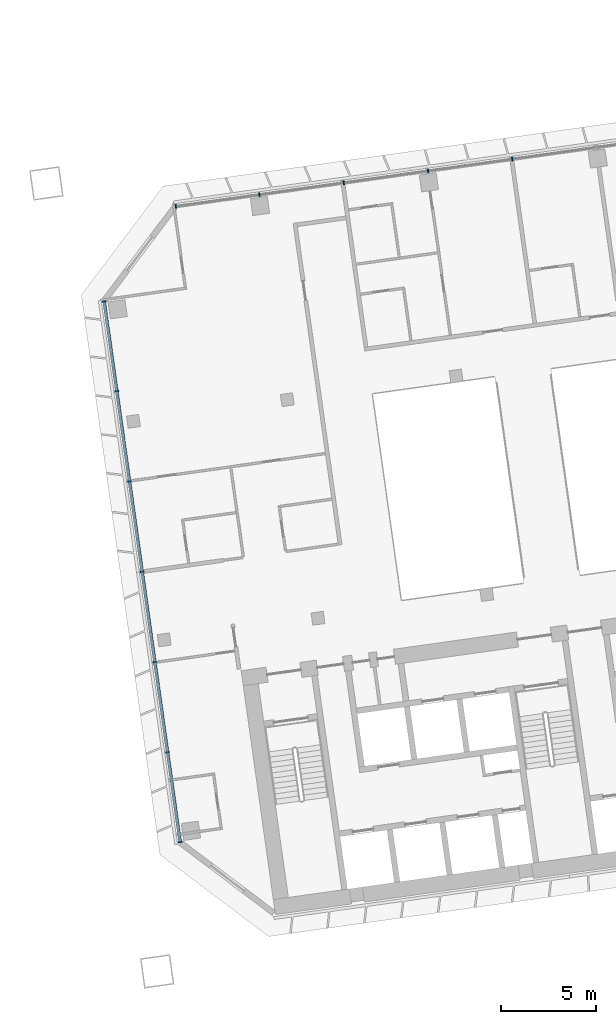
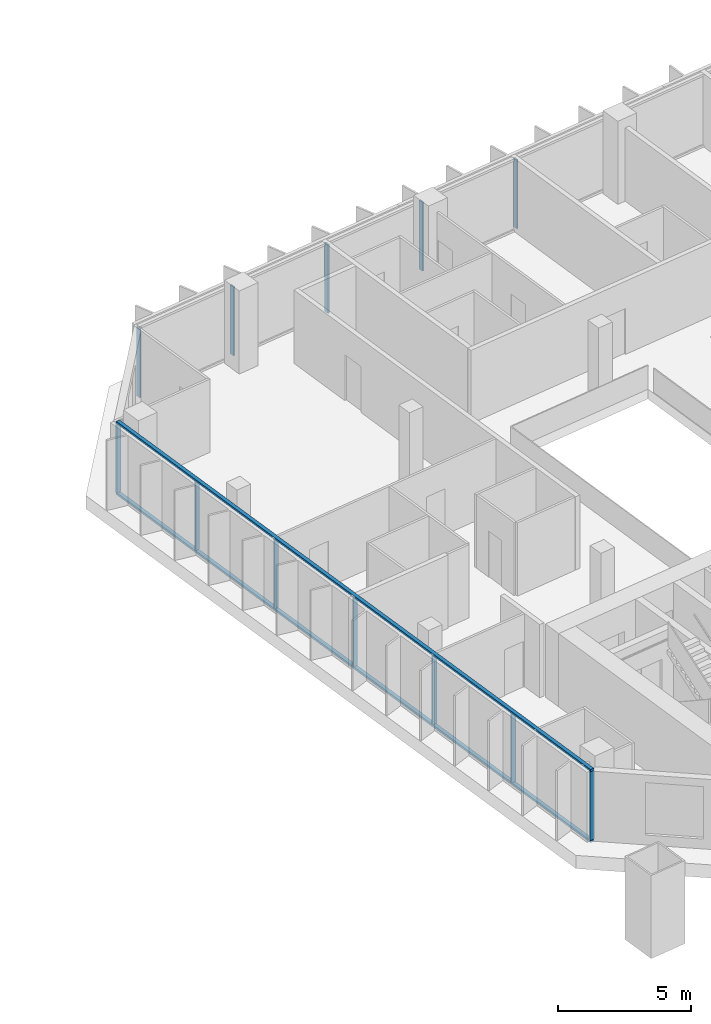
# One storey, part 7 of 26: 14 members, 2 elements without a shape of their own.
"""IFC4 building model written with IfcOpenShell, lengths in metres."""

from ifc_helpers import new_model, si_unit, direction, frame, origin, origin_2d, place, context, subcontext, project, spatial, rectangle, extrude, material, material_profile, profile_set, type_object, element, aggregate, save


model = new_model("IFC4")

# Units and contexts
model_context = context("Model", 3, precision=1e-05, world=origin(), true_north=direction((0.0, 1.0)))
body_context = subcontext(model_context, "Body", "Model", "MODEL_VIEW")
ifc_project = project(units=[si_unit("LENGTHUNIT", "METRE"), si_unit("AREAUNIT", "SQUARE_METRE"), si_unit("VOLUMEUNIT", "CUBIC_METRE"), si_unit("PLANEANGLEUNIT", "RADIAN"), si_unit("MASSUNIT", "GRAM", prefix="KILO")], contexts=[model_context])

# Site, building, storey
site_placement = place(None, origin())
site = spatial("IfcSite", under=ifc_project, at=site_placement, CompositionType="ELEMENT")
building_placement = place(site_placement, origin())
building = spatial("IfcBuilding", under=site, at=building_placement, Name="Mirante Cascada Hotel Towers", CompositionType="ELEMENT")
storey_placement = place(building_placement, frame((0.0, 0.0, 106.3)))
storey = spatial("IfcBuildingStorey", under=building, at=storey_placement, Name="L23", CompositionType="ELEMENT", Elevation=106.3)

# Curtain wall, members
ifc_material_1 = material(Name="Aluminium mullion and transom frame with clear laminated glass", Category="aluminium")
curtain_wall_type_1 = type_object("IfcCurtainWallType", Name="Ribbon curtain wall ECW1", PredefinedType="NOTDEFINED", material=ifc_material_1)
curtain_wall_1_placement = place(storey_placement, origin())
curtain_wall_1 = element("IfcCurtainWall", 1, at=curtain_wall_1_placement, inside=storey, type_object=curtain_wall_type_1, Name="Front ribbon wall T2 L23", PredefinedType="NOTDEFINED")
ifc_material_2 = material(Name="Anodised aluminium extrusion", Category="aluminium")
ifc_material_profile_1 = material_profile(ifc_material_2, rectangle(XDim=0.2, YDim=0.065, at=origin_2d()), Name="ECW1 MULLION 65x200")
ifc_profile_set_1 = profile_set([ifc_material_profile_1], Name="Anodised aluminium extrusion")
member_type_1 = type_object("IfcMemberType", Name="ECW1 mullion 65x200", PredefinedType="MULLION", material=ifc_profile_set_1)
member_1_placement = place(storey_placement, frame((49.684, 19.8017, 0.1), z_axis=(0.0, 0.0, 1.0), x_axis=(0.1391731, -0.9902681, 0.0)))
member_1 = element("IfcMember", 2, at=member_1_placement, type_object=member_type_1, Name="ECW1 mullion 11", PredefinedType="MULLION", context=body_context, shape_type="SweptSolid", body=[
    extrude(rectangle(XDim=0.2, YDim=0.065, at=origin_2d()), origin(), (0.0, 0.0, 1.0), 3.15),
])
member_2_placement = place(storey_placement, frame((45.2366, 19.1766, 0.1), z_axis=(0.0, 0.0, 1.0), x_axis=(0.1391731, -0.9902681, 0.0)))
member_2 = element("IfcMember", 3, at=member_2_placement, type_object=member_type_1, Name="ECW1 mullion 12", PredefinedType="MULLION", context=body_context, shape_type="SweptSolid", body=[
    extrude(rectangle(XDim=0.2, YDim=0.065, at=origin_2d()), origin(), (0.0, 0.0, 1.0), 3.15),
])
member_3_placement = place(storey_placement, frame((40.7892, 18.5516, 0.1), z_axis=(0.0, 0.0, 1.0), x_axis=(0.1391731, -0.9902681, 0.0)))
member_3 = element("IfcMember", 4, at=member_3_placement, type_object=member_type_1, Name="ECW1 mullion 13", PredefinedType="MULLION", context=body_context, shape_type="SweptSolid", body=[
    extrude(rectangle(XDim=0.2, YDim=0.065, at=origin_2d()), origin(), (0.0, 0.0, 1.0), 3.15),
])
member_4_placement = place(storey_placement, frame((36.3417, 17.9265, 0.1), z_axis=(0.0, 0.0, 1.0), x_axis=(0.1391731, -0.9902681, 0.0)))
member_4 = element("IfcMember", 5, at=member_4_placement, type_object=member_type_1, Name="ECW1 mullion 14", PredefinedType="MULLION", context=body_context, shape_type="SweptSolid", body=[
    extrude(rectangle(XDim=0.2, YDim=0.065, at=origin_2d()), origin(), (0.0, 0.0, 1.0), 3.15),
])
member_5_placement = place(storey_placement, frame((31.9265, 17.306, 0.1), z_axis=(0.0, 0.0, 1.0), x_axis=(0.1391731, -0.9902681, 0.0)))
member_5 = element("IfcMember", 6, at=member_5_placement, type_object=member_type_1, Name="ECW1 mullion 15", PredefinedType="MULLION", context=body_context, shape_type="SweptSolid", body=[
    extrude(rectangle(XDim=0.2, YDim=0.065, at=origin_2d()), origin(), (0.0, 0.0, 1.0), 3.15),
])
aggregate(curtain_wall_1, [member_1, member_2, member_3, member_4, member_5])

ifc_material_3 = material(Name="Aluminium mullion and transom frame with clear laminated glass", Category="aluminium")
curtain_wall_type_2 = type_object("IfcCurtainWallType", Name="End ribbon curtain wall ECW2", PredefinedType="NOTDEFINED", material=ifc_material_3)
curtain_wall_2_placement = place(storey_placement, origin())
curtain_wall_2 = element("IfcCurtainWall", 7, at=curtain_wall_2_placement, inside=storey, type_object=curtain_wall_type_2, Name="Inner end wall T2 L23", PredefinedType="NOTDEFINED")
ifc_material_4 = material(Name="Anodised aluminium extrusion", Category="aluminium")
ifc_material_profile_2 = material_profile(ifc_material_4, rectangle(XDim=0.2, YDim=0.065, at=origin_2d()), Name="ECW2 MULLION 65x200")
ifc_profile_set_2 = profile_set([ifc_material_profile_2], Name="Anodised aluminium extrusion")
member_type_2 = type_object("IfcMemberType", Name="ECW2 mullion 65x200", PredefinedType="MULLION", material=ifc_profile_set_2)
member_6_placement = place(storey_placement, frame((28.1437, 12.2861, 0.1), z_axis=(0.0, 0.0, 1.0), x_axis=(0.9902681, 0.1391731, 0.0)))
member_6 = element("IfcMember", 8, at=member_6_placement, type_object=member_type_2, Name="ECW2 mullion 1", PredefinedType="MULLION", context=body_context, shape_type="SweptSolid", body=[
    extrude(rectangle(XDim=0.2, YDim=0.065, at=origin_2d()), origin(), (0.0, 0.0, 1.0), 3.15),
])
member_7_placement = place(storey_placement, frame((28.809, 7.5524, 0.1), z_axis=(0.0, 0.0, 1.0), x_axis=(0.9902681, 0.1391731, 0.0)))
member_7 = element("IfcMember", 9, at=member_7_placement, type_object=member_type_2, Name="ECW2 mullion 2", PredefinedType="MULLION", context=body_context, shape_type="SweptSolid", body=[
    extrude(rectangle(XDim=0.2, YDim=0.065, at=origin_2d()), origin(), (0.0, 0.0, 1.0), 3.15),
])
member_8_placement = place(storey_placement, frame((29.4788, 2.7867, 0.1), z_axis=(0.0, 0.0, 1.0), x_axis=(0.9902681, 0.1391731, 0.0)))
member_8 = element("IfcMember", 10, at=member_8_placement, type_object=member_type_2, Name="ECW2 mullion 3", PredefinedType="MULLION", context=body_context, shape_type="SweptSolid", body=[
    extrude(rectangle(XDim=0.2, YDim=0.065, at=origin_2d()), origin(), (0.0, 0.0, 1.0), 3.15),
])
member_9_placement = place(storey_placement, frame((30.1485, -1.9791, 0.1), z_axis=(0.0, 0.0, 1.0), x_axis=(0.9902681, 0.1391731, 0.0)))
member_9 = element("IfcMember", 11, at=member_9_placement, type_object=member_type_2, Name="ECW2 mullion 4", PredefinedType="MULLION", context=body_context, shape_type="SweptSolid", body=[
    extrude(rectangle(XDim=0.2, YDim=0.065, at=origin_2d()), origin(), (0.0, 0.0, 1.0), 3.15),
])
member_10_placement = place(storey_placement, frame((30.8183, -6.7449, 0.1), z_axis=(0.0, 0.0, 1.0), x_axis=(0.9902681, 0.1391731, 0.0)))
member_10 = element("IfcMember", 12, at=member_10_placement, type_object=member_type_2, Name="ECW2 mullion 5", PredefinedType="MULLION", context=body_context, shape_type="SweptSolid", body=[
    extrude(rectangle(XDim=0.2, YDim=0.065, at=origin_2d()), origin(), (0.0, 0.0, 1.0), 3.15),
])
member_11_placement = place(storey_placement, frame((31.4881, -11.5107, 0.1), z_axis=(0.0, 0.0, 1.0), x_axis=(0.9902681, 0.1391731, 0.0)))
member_11 = element("IfcMember", 13, at=member_11_placement, type_object=member_type_2, Name="ECW2 mullion 6", PredefinedType="MULLION", context=body_context, shape_type="SweptSolid", body=[
    extrude(rectangle(XDim=0.2, YDim=0.065, at=origin_2d()), origin(), (0.0, 0.0, 1.0), 3.15),
])
member_12_placement = place(storey_placement, frame((32.1534, -16.2443, 0.1), z_axis=(0.0, 0.0, 1.0), x_axis=(0.9902681, 0.1391731, 0.0)))
member_12 = element("IfcMember", 14, at=member_12_placement, type_object=member_type_2, Name="ECW2 mullion 7", PredefinedType="MULLION", context=body_context, shape_type="SweptSolid", body=[
    extrude(rectangle(XDim=0.2, YDim=0.065, at=origin_2d()), origin(), (0.0, 0.0, 1.0), 3.15),
])
ifc_material_5 = material(Name="Anodised aluminium extrusion", Category="aluminium")
ifc_material_profile_3 = material_profile(ifc_material_5, rectangle(XDim=0.16, YDim=0.1, at=origin_2d()), Name="ECW2 TRANSOM 100x160")
ifc_profile_set_3 = profile_set([ifc_material_profile_3], Name="Anodised aluminium extrusion")
member_type_3 = type_object("IfcMemberType", Name="ECW2 transom 100x160", PredefinedType="USERDEFINED", material=ifc_profile_set_3)
member_13_placement = place(storey_placement, frame((28.1392, 12.3182, 0.05), z_axis=(0.1391723, -0.9902682, 0.0), x_axis=(0.9902682, 0.1391723, 0.0)))
member_13 = element("IfcMember", 15, at=member_13_placement, type_object=member_type_3, Name="ECW2 sill transom", ObjectType="TRANSOM", PredefinedType="USERDEFINED", context=body_context, shape_type="SweptSolid", body=[
    extrude(rectangle(XDim=0.16, YDim=0.1, at=origin_2d()), origin(), (0.0, 0.0, 1.0), 28.8757),
])
member_14_placement = place(storey_placement, frame((28.1392, 12.3182, 3.3), z_axis=(0.1391723, -0.9902682, 0.0), x_axis=(0.9902682, 0.1391723, 0.0)))
member_14 = element("IfcMember", 16, at=member_14_placement, type_object=member_type_3, Name="ECW2 head transom", ObjectType="TRANSOM", PredefinedType="USERDEFINED", context=body_context, shape_type="SweptSolid", body=[
    extrude(rectangle(XDim=0.16, YDim=0.1, at=origin_2d()), origin(), (0.0, 0.0, 1.0), 28.8757),
])
aggregate(curtain_wall_2, [member_13, member_14, member_6, member_7, member_8, member_9, member_10, member_11, member_12])

save(model, "model.ifc")
